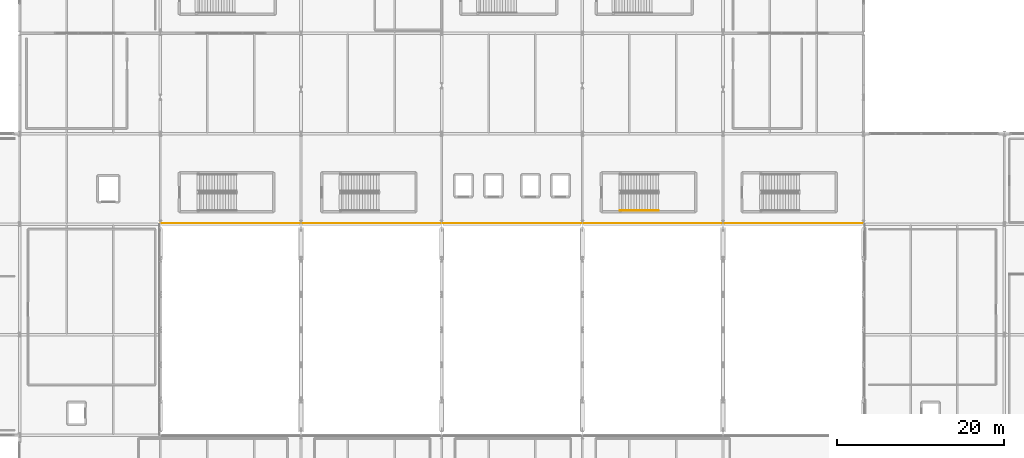
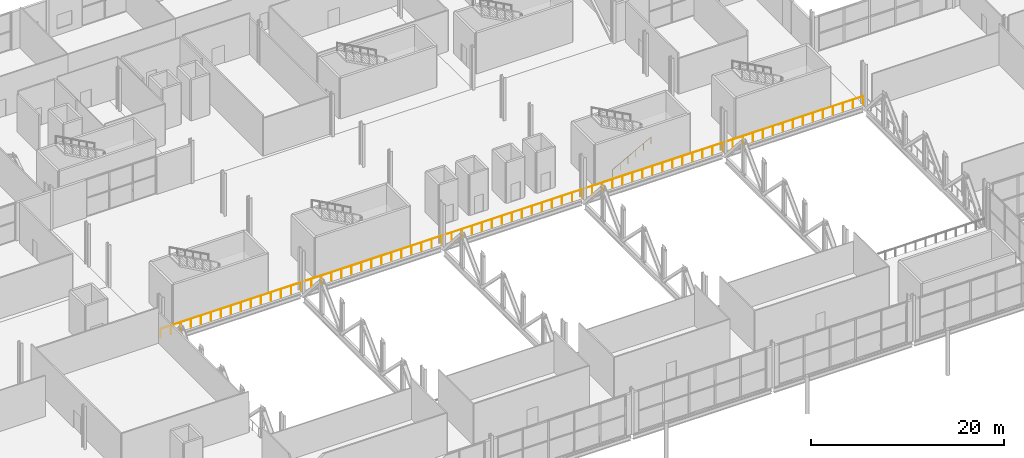
# One storey, part 75 of 84: 2 railings.
"""IFC4 building model written with IfcOpenShell, lengths in metres."""

from ifc_helpers import new_model, si_unit, direction, frame, origin, origin_2d, place, context, subcontext, project, spatial, circle, extrude, material, type_object, element, save


model = new_model("IFC4")

# Units and contexts
model_context = context("Model", 3, precision=1e-05, world=origin(), true_north=direction((0.0, 1.0)))
body_context = subcontext(model_context, "Body", "Model", "MODEL_VIEW")
ifc_project = project(units=[si_unit("LENGTHUNIT", "METRE"), si_unit("AREAUNIT", "SQUARE_METRE"), si_unit("VOLUMEUNIT", "CUBIC_METRE"), si_unit("PLANEANGLEUNIT", "RADIAN"), si_unit("MASSUNIT", "GRAM", prefix="KILO")], contexts=[model_context])

# Site, building, storey
site_placement = place(None, origin())
site = spatial("IfcSite", under=ifc_project, at=site_placement, CompositionType="ELEMENT")
building_placement = place(site_placement, origin())
building = spatial("IfcBuilding", under=site, at=building_placement, Name="Kimbaza Rail Terminus", CompositionType="ELEMENT")
storey_placement = place(building_placement, frame((0.0, 0.0, 5.39990234375)))
storey = spatial("IfcBuildingStorey", under=building, at=storey_placement, Name="L01", CompositionType="ELEMENT", Elevation=5.39990234375)

# Railings
ifc_material_1 = material(Name="Stainless steel atrium balustrade", Category="steel")
railing_type_1 = type_object("IfcRailingType", Name="ARC-RL-GRDI12", PredefinedType="GUARDRAIL", material=ifc_material_1)
railing_1_placement = place(storey_placement, frame((155.949951171875, 80.300048828125, 0.0)))
element("IfcRailing", 1, at=railing_1_placement, inside=storey, type_object=railing_type_1, Name="Safety Balustrade GRD-ATR-N", PredefinedType="GUARDRAIL", context=body_context, shape_type="SweptSolid", body=[
    extrude(circle(Radius=0.02392578125, at=origin_2d()), frame((0.0, 0.0, 1.10595703125), z_axis=(-1.0, 0.0, 0.0), x_axis=(0.0, -1.0, 0.0)), (0.0, 0.0, 1.0), 83.89990234375),
    extrude(circle(Radius=0.02099609375, at=origin_2d()), origin(), (0.0, 0.0, 1.0), 1.081787109375),
    extrude(circle(Radius=0.02099609375, at=origin_2d()), frame((-1.198486328125, 0.0, 0.0)), (0.0, 0.0, 1.0), 1.081787109375),
    extrude(circle(Radius=0.02099609375, at=origin_2d()), frame((-2.397216796875, 0.0, 0.0)), (0.0, 0.0, 1.0), 1.081787109375),
    extrude(circle(Radius=0.02099609375, at=origin_2d()), frame((-3.595703125, 0.0, 0.0)), (0.0, 0.0, 1.0), 1.081787109375),
    extrude(circle(Radius=0.02099609375, at=origin_2d()), frame((-4.794189453125, 0.0, 0.0)), (0.0, 0.0, 1.0), 1.081787109375),
    extrude(circle(Radius=0.02099609375, at=origin_2d()), frame((-5.992919921875, 0.0, 0.0)), (0.0, 0.0, 1.0), 1.081787109375),
    extrude(circle(Radius=0.02099609375, at=origin_2d()), frame((-7.19140625, 0.0, 0.0)), (0.0, 0.0, 1.0), 1.081787109375),
    extrude(circle(Radius=0.02099609375, at=origin_2d()), frame((-8.389892578125, 0.0, 0.0)), (0.0, 0.0, 1.0), 1.081787109375),
    extrude(circle(Radius=0.02099609375, at=origin_2d()), frame((-9.588623046875, 0.0, 0.0)), (0.0, 0.0, 1.0), 1.081787109375),
    extrude(circle(Radius=0.02099609375, at=origin_2d()), frame((-10.787109375, 0.0, 0.0)), (0.0, 0.0, 1.0), 1.081787109375),
    extrude(circle(Radius=0.02099609375, at=origin_2d()), frame((-11.985595703125, 0.0, 0.0)), (0.0, 0.0, 1.0), 1.081787109375),
    extrude(circle(Radius=0.02099609375, at=origin_2d()), frame((-13.184326171875, 0.0, 0.0)), (0.0, 0.0, 1.0), 1.081787109375),
    extrude(circle(Radius=0.02099609375, at=origin_2d()), frame((-14.3828125, 0.0, 0.0)), (0.0, 0.0, 1.0), 1.081787109375),
    extrude(circle(Radius=0.02099609375, at=origin_2d()), frame((-15.581298828125, 0.0, 0.0)), (0.0, 0.0, 1.0), 1.081787109375),
    extrude(circle(Radius=0.02099609375, at=origin_2d()), frame((-16.780029296875, 0.0, 0.0)), (0.0, 0.0, 1.0), 1.081787109375),
    extrude(circle(Radius=0.02099609375, at=origin_2d()), frame((-17.978515625, 0.0, 0.0)), (0.0, 0.0, 1.0), 1.081787109375),
    extrude(circle(Radius=0.02099609375, at=origin_2d()), frame((-19.177001953125, 0.0, 0.0)), (0.0, 0.0, 1.0), 1.081787109375),
    extrude(circle(Radius=0.02099609375, at=origin_2d()), frame((-20.375732421875, 0.0, 0.0)), (0.0, 0.0, 1.0), 1.081787109375),
    extrude(circle(Radius=0.02099609375, at=origin_2d()), frame((-21.57421875, 0.0, 0.0)), (0.0, 0.0, 1.0), 1.081787109375),
    extrude(circle(Radius=0.02099609375, at=origin_2d()), frame((-22.77294921875, 0.0, 0.0)), (0.0, 0.0, 1.0), 1.081787109375),
    extrude(circle(Radius=0.02099609375, at=origin_2d()), frame((-23.971435546875, 0.0, 0.0)), (0.0, 0.0, 1.0), 1.081787109375),
    extrude(circle(Radius=0.02099609375, at=origin_2d()), frame((-25.169921875, 0.0, 0.0)), (0.0, 0.0, 1.0), 1.081787109375),
    extrude(circle(Radius=0.02099609375, at=origin_2d()), frame((-26.36865234375, 0.0, 0.0)), (0.0, 0.0, 1.0), 1.081787109375),
    extrude(circle(Radius=0.02099609375, at=origin_2d()), frame((-27.567138671875, 0.0, 0.0)), (0.0, 0.0, 1.0), 1.081787109375),
    extrude(circle(Radius=0.02099609375, at=origin_2d()), frame((-28.765625, 0.0, 0.0)), (0.0, 0.0, 1.0), 1.081787109375),
    extrude(circle(Radius=0.02099609375, at=origin_2d()), frame((-29.96435546875, 0.0, 0.0)), (0.0, 0.0, 1.0), 1.081787109375),
    extrude(circle(Radius=0.02099609375, at=origin_2d()), frame((-31.162841796875, 0.0, 0.0)), (0.0, 0.0, 1.0), 1.081787109375),
    extrude(circle(Radius=0.02099609375, at=origin_2d()), frame((-32.361328125, 0.0, 0.0)), (0.0, 0.0, 1.0), 1.081787109375),
    extrude(circle(Radius=0.02099609375, at=origin_2d()), frame((-33.56005859375, 0.0, 0.0)), (0.0, 0.0, 1.0), 1.081787109375),
    extrude(circle(Radius=0.02099609375, at=origin_2d()), frame((-34.758544921875, 0.0, 0.0)), (0.0, 0.0, 1.0), 1.081787109375),
    extrude(circle(Radius=0.02099609375, at=origin_2d()), frame((-35.95703125, 0.0, 0.0)), (0.0, 0.0, 1.0), 1.081787109375),
    extrude(circle(Radius=0.02099609375, at=origin_2d()), frame((-37.15576171875, 0.0, 0.0)), (0.0, 0.0, 1.0), 1.081787109375),
    extrude(circle(Radius=0.02099609375, at=origin_2d()), frame((-38.354248046875, 0.0, 0.0)), (0.0, 0.0, 1.0), 1.081787109375),
    extrude(circle(Radius=0.02099609375, at=origin_2d()), frame((-39.552734375, 0.0, 0.0)), (0.0, 0.0, 1.0), 1.081787109375),
    extrude(circle(Radius=0.02099609375, at=origin_2d()), frame((-40.75146484375, 0.0, 0.0)), (0.0, 0.0, 1.0), 1.081787109375),
    extrude(circle(Radius=0.02099609375, at=origin_2d()), frame((-41.949951171875, 0.0, 0.0)), (0.0, 0.0, 1.0), 1.081787109375),
    extrude(circle(Radius=0.02099609375, at=origin_2d()), frame((-43.1484375, 0.0, 0.0)), (0.0, 0.0, 1.0), 1.081787109375),
    extrude(circle(Radius=0.02099609375, at=origin_2d()), frame((-44.34716796875, 0.0, 0.0)), (0.0, 0.0, 1.0), 1.081787109375),
    extrude(circle(Radius=0.02099609375, at=origin_2d()), frame((-45.545654296875, 0.0, 0.0)), (0.0, 0.0, 1.0), 1.081787109375),
    extrude(circle(Radius=0.02099609375, at=origin_2d()), frame((-46.744140625, 0.0, 0.0)), (0.0, 0.0, 1.0), 1.081787109375),
    extrude(circle(Radius=0.02099609375, at=origin_2d()), frame((-47.94287109375, 0.0, 0.0)), (0.0, 0.0, 1.0), 1.081787109375),
    extrude(circle(Radius=0.02099609375, at=origin_2d()), frame((-49.141357421875, 0.0, 0.0)), (0.0, 0.0, 1.0), 1.081787109375),
    extrude(circle(Radius=0.02099609375, at=origin_2d()), frame((-50.33984375, 0.0, 0.0)), (0.0, 0.0, 1.0), 1.081787109375),
    extrude(circle(Radius=0.02099609375, at=origin_2d()), frame((-51.53857421875, 0.0, 0.0)), (0.0, 0.0, 1.0), 1.081787109375),
    extrude(circle(Radius=0.02099609375, at=origin_2d()), frame((-52.737060546875, 0.0, 0.0)), (0.0, 0.0, 1.0), 1.081787109375),
    extrude(circle(Radius=0.02099609375, at=origin_2d()), frame((-53.935546875, 0.0, 0.0)), (0.0, 0.0, 1.0), 1.081787109375),
    extrude(circle(Radius=0.02099609375, at=origin_2d()), frame((-55.13427734375, 0.0, 0.0)), (0.0, 0.0, 1.0), 1.081787109375),
    extrude(circle(Radius=0.02099609375, at=origin_2d()), frame((-56.332763671875, 0.0, 0.0)), (0.0, 0.0, 1.0), 1.081787109375),
    extrude(circle(Radius=0.02099609375, at=origin_2d()), frame((-57.53125, 0.0, 0.0)), (0.0, 0.0, 1.0), 1.081787109375),
    extrude(circle(Radius=0.02099609375, at=origin_2d()), frame((-58.72998046875, 0.0, 0.0)), (0.0, 0.0, 1.0), 1.081787109375),
    extrude(circle(Radius=0.02099609375, at=origin_2d()), frame((-59.928466796875, 0.0, 0.0)), (0.0, 0.0, 1.0), 1.081787109375),
    extrude(circle(Radius=0.02099609375, at=origin_2d()), frame((-61.126953125, 0.0, 0.0)), (0.0, 0.0, 1.0), 1.081787109375),
    extrude(circle(Radius=0.02099609375, at=origin_2d()), frame((-62.32568359375, 0.0, 0.0)), (0.0, 0.0, 1.0), 1.081787109375),
    extrude(circle(Radius=0.02099609375, at=origin_2d()), frame((-63.524169921875, 0.0, 0.0)), (0.0, 0.0, 1.0), 1.081787109375),
    extrude(circle(Radius=0.02099609375, at=origin_2d()), frame((-64.722900390625, 0.0, 0.0)), (0.0, 0.0, 1.0), 1.081787109375),
    extrude(circle(Radius=0.02099609375, at=origin_2d()), frame((-65.92138671875, 0.0, 0.0)), (0.0, 0.0, 1.0), 1.081787109375),
    extrude(circle(Radius=0.02099609375, at=origin_2d()), frame((-67.119873046875, 0.0, 0.0)), (0.0, 0.0, 1.0), 1.081787109375),
    extrude(circle(Radius=0.02099609375, at=origin_2d()), frame((-68.318603515625, 0.0, 0.0)), (0.0, 0.0, 1.0), 1.081787109375),
    extrude(circle(Radius=0.02099609375, at=origin_2d()), frame((-69.51708984375, 0.0, 0.0)), (0.0, 0.0, 1.0), 1.081787109375),
    extrude(circle(Radius=0.02099609375, at=origin_2d()), frame((-70.715576171875, 0.0, 0.0)), (0.0, 0.0, 1.0), 1.081787109375),
    extrude(circle(Radius=0.02099609375, at=origin_2d()), frame((-71.914306640625, 0.0, 0.0)), (0.0, 0.0, 1.0), 1.081787109375),
    extrude(circle(Radius=0.02099609375, at=origin_2d()), frame((-73.11279296875, 0.0, 0.0)), (0.0, 0.0, 1.0), 1.081787109375),
    extrude(circle(Radius=0.02099609375, at=origin_2d()), frame((-74.311279296875, 0.0, 0.0)), (0.0, 0.0, 1.0), 1.081787109375),
    extrude(circle(Radius=0.02099609375, at=origin_2d()), frame((-75.510009765625, 0.0, 0.0)), (0.0, 0.0, 1.0), 1.081787109375),
    extrude(circle(Radius=0.02099609375, at=origin_2d()), frame((-76.70849609375, 0.0, 0.0)), (0.0, 0.0, 1.0), 1.081787109375),
    extrude(circle(Radius=0.02099609375, at=origin_2d()), frame((-77.906982421875, 0.0, 0.0)), (0.0, 0.0, 1.0), 1.081787109375),
    extrude(circle(Radius=0.02099609375, at=origin_2d()), frame((-79.105712890625, 0.0, 0.0)), (0.0, 0.0, 1.0), 1.081787109375),
    extrude(circle(Radius=0.02099609375, at=origin_2d()), frame((-80.30419921875, 0.0, 0.0)), (0.0, 0.0, 1.0), 1.081787109375),
    extrude(circle(Radius=0.02099609375, at=origin_2d()), frame((-81.502685546875, 0.0, 0.0)), (0.0, 0.0, 1.0), 1.081787109375),
    extrude(circle(Radius=0.02099609375, at=origin_2d()), frame((-82.701416015625, 0.0, 0.0)), (0.0, 0.0, 1.0), 1.081787109375),
    extrude(circle(Radius=0.02099609375, at=origin_2d()), frame((-83.89990234375, 0.0, 0.0)), (0.0, 0.0, 1.0), 1.081787109375),
])
ifc_material_2 = material(Name="Brushed stainless steel handrail", Category="steel")
railing_type_2 = type_object("IfcRailingType", Name="ARC-RL-HND92", PredefinedType="HANDRAIL", material=ifc_material_2)
railing_2_placement = place(storey_placement, frame((126.89990234375, 81.85009765625, 0.18017578125)))
element("IfcRailing", 2, at=railing_2_placement, inside=storey, type_object=railing_type_2, Name="L01 ST-C4 stair handrail 1", PredefinedType="HANDRAIL", context=body_context, shape_type="SweptSolid", body=[
    extrude(circle(Radius=0.02392578125, at=origin_2d()), frame((0.0, 0.0, 0.8759765625), z_axis=(0.877899118682, 0.0, 0.478845630049), x_axis=(0.0, 1.0, 0.0)), (0.0, 0.0, 1.0), 5.2626953125),
    extrude(circle(Radius=0.02099609375, at=origin_2d()), origin(), (0.0, 0.0, 1.0), 0.851806640625),
    extrude(circle(Radius=0.02099609375, at=origin_2d()), frame((0.924072265625, 0.0, 0.50390625)), (0.0, 0.0, 1.0), 0.851806640625),
    extrude(circle(Radius=0.02099609375, at=origin_2d()), frame((1.84814453125, 0.0, 1.008056640625)), (0.0, 0.0, 1.0), 0.851806640625),
    extrude(circle(Radius=0.02099609375, at=origin_2d()), frame((2.77197265625, 0.0, 1.511962890625)), (0.0, 0.0, 1.0), 0.851806640625),
    extrude(circle(Radius=0.02099609375, at=origin_2d()), frame((3.696044921875, 0.0, 2.01611328125)), (0.0, 0.0, 1.0), 0.851806640625),
    extrude(circle(Radius=0.02099609375, at=origin_2d()), frame((4.6201171875, 0.0, 2.52001953125)), (0.0, 0.0, 1.0), 0.851806640625),
])

save(model, "model.ifc")
